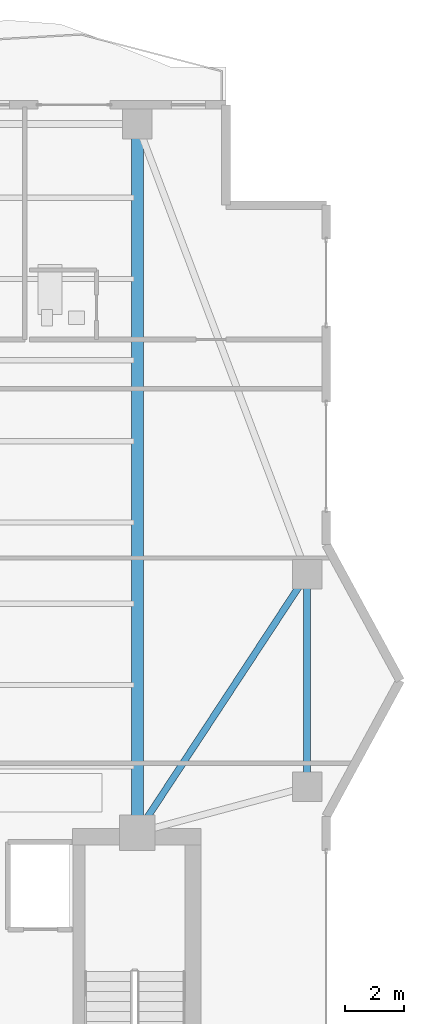
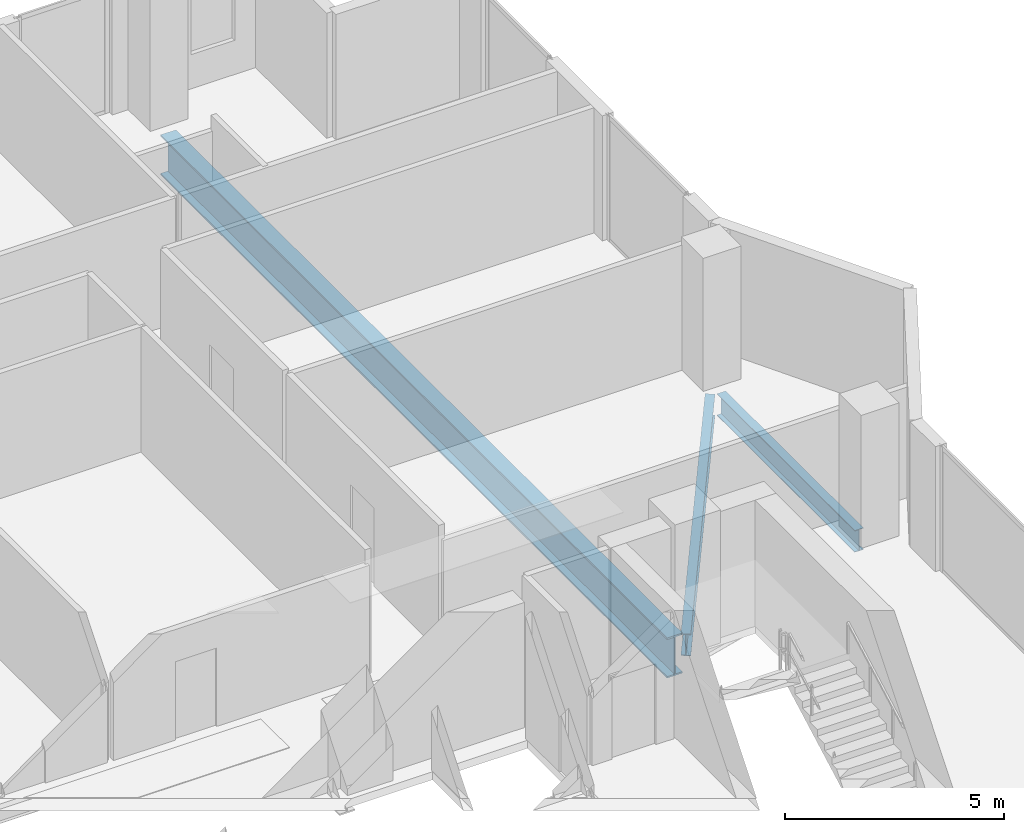
# One storey, part 10 of 25: 3 beams.
"""IFC4 building model written with IfcOpenShell, lengths in metres."""

from ifc_helpers import new_model, si_unit, direction, frame, origin, origin_2d, place, context, subcontext, project, spatial, i_section, extrude, material, material_profile, profile_set, type_object, element, save


model = new_model("IFC4")

# Units and contexts
model_context = context("Model", 3, precision=1e-05, world=origin(), true_north=direction((0.0, 1.0)))
body_context = subcontext(model_context, "Body", "Model", "MODEL_VIEW")
ifc_project = project(units=[si_unit("LENGTHUNIT", "METRE"), si_unit("AREAUNIT", "SQUARE_METRE"), si_unit("VOLUMEUNIT", "CUBIC_METRE"), si_unit("PLANEANGLEUNIT", "RADIAN"), si_unit("MASSUNIT", "GRAM", prefix="KILO")], contexts=[model_context])

# Site, building, storey
site_placement = place(None, origin())
site = spatial("IfcSite", under=ifc_project, at=site_placement, CompositionType="ELEMENT")
building_placement = place(site_placement, origin())
building = spatial("IfcBuilding", under=site, at=building_placement, Name="Zuhayl Quay Hotel", CompositionType="ELEMENT")
storey_placement = place(building_placement, frame((0.0, 0.0, 258.14990234375)))
storey = spatial("IfcBuildingStorey", under=building, at=storey_placement, Name="L65", CompositionType="ELEMENT", Elevation=258.14990234375)

# Beams
ifc_material_1 = material(Name="Steel ASTM A992 Grade 50", Category="steel")
ifc_material_profile_1 = material_profile(ifc_material_1, i_section(OverallWidth=0.22802734375, OverallDepth=0.60693359375, WebThickness=0.01123046875, FlangeThickness=0.017333984375, at=origin_2d()), Name="W24X76")
ifc_profile_set_1 = profile_set([ifc_material_profile_1], Name="Steel ASTM A992 Grade 50")
beam_type_1 = type_object("IfcBeamType", Name="BM_B3_W24X76", PredefinedType="BEAM", material=ifc_profile_set_1)
beam_1_placement = place(storey_placement, frame((19.550048828125, 16.360107421875, -0.5234375), z_axis=(0.0, 1.0, 0.0), x_axis=(-1.0, 0.0, 0.0)))
element("IfcBeam", 1, at=beam_1_placement, inside=storey, type_object=beam_type_1, Name="L65 Floor Beam RG_L65_05", PredefinedType="BEAM", context=body_context, shape_type="SweptSolid", body=[
    extrude(i_section(OverallWidth=0.22802734375, OverallDepth=0.60693359375, WebThickness=0.01123046875, FlangeThickness=0.017333984375, at=origin_2d()), origin(), (0.0, 0.0, 1.0), 6.27978515625),
])
beam_2_placement = place(storey_placement, frame((14.047119140625, 14.72607421875, -0.5234375), z_axis=(0.549177886661, 0.835705479701, 0.0), x_axis=(-0.835705479701, 0.549177886661, 0.0)))
element("IfcBeam", 2, at=beam_2_placement, inside=storey, type_object=beam_type_1, Name="L65 Floor Beam FG_E_L65_2", PredefinedType="BEAM", context=body_context, shape_type="SweptSolid", body=[
    extrude(i_section(OverallWidth=0.22802734375, OverallDepth=0.60693359375, WebThickness=0.01123046875, FlangeThickness=0.017333984375, at=origin_2d()), origin(), (0.0, 0.0, 1.0), 9.560302734375),
])
ifc_material_2 = material(Name="Steel ASTM A913 Grade 65", Category="steel")
ifc_material_profile_2 = material_profile(ifc_material_2, i_section(OverallWidth=0.404052734375, OverallDepth=1.117919921875, WebThickness=0.026123046875, FlangeThickness=0.044921875, at=origin_2d()), Name="W44X335")
ifc_profile_set_2 = profile_set([ifc_material_profile_2], Name="Steel ASTM A913 Grade 65")
beam_type_2 = type_object("IfcBeamType", Name="BM_TG1_W44X335", PredefinedType="BEAM", material=ifc_profile_set_2)
beam_3_placement = place(storey_placement, frame((13.800048828125, 14.800048828125, -0.77880859375), z_axis=(0.0, 1.0, 0.0), x_axis=(-1.0, 0.0, 0.0)))
element("IfcBeam", 3, at=beam_3_placement, inside=storey, type_object=beam_type_2, Name="L65 Floor Beam FG_N_L65_4", PredefinedType="BEAM", context=body_context, shape_type="SweptSolid", body=[
    extrude(i_section(OverallWidth=0.404052734375, OverallDepth=1.117919921875, WebThickness=0.026123046875, FlangeThickness=0.044921875, at=origin_2d()), origin(), (0.0, 0.0, 1.0), 23.08984375),
])

save(model, "model.ifc")
